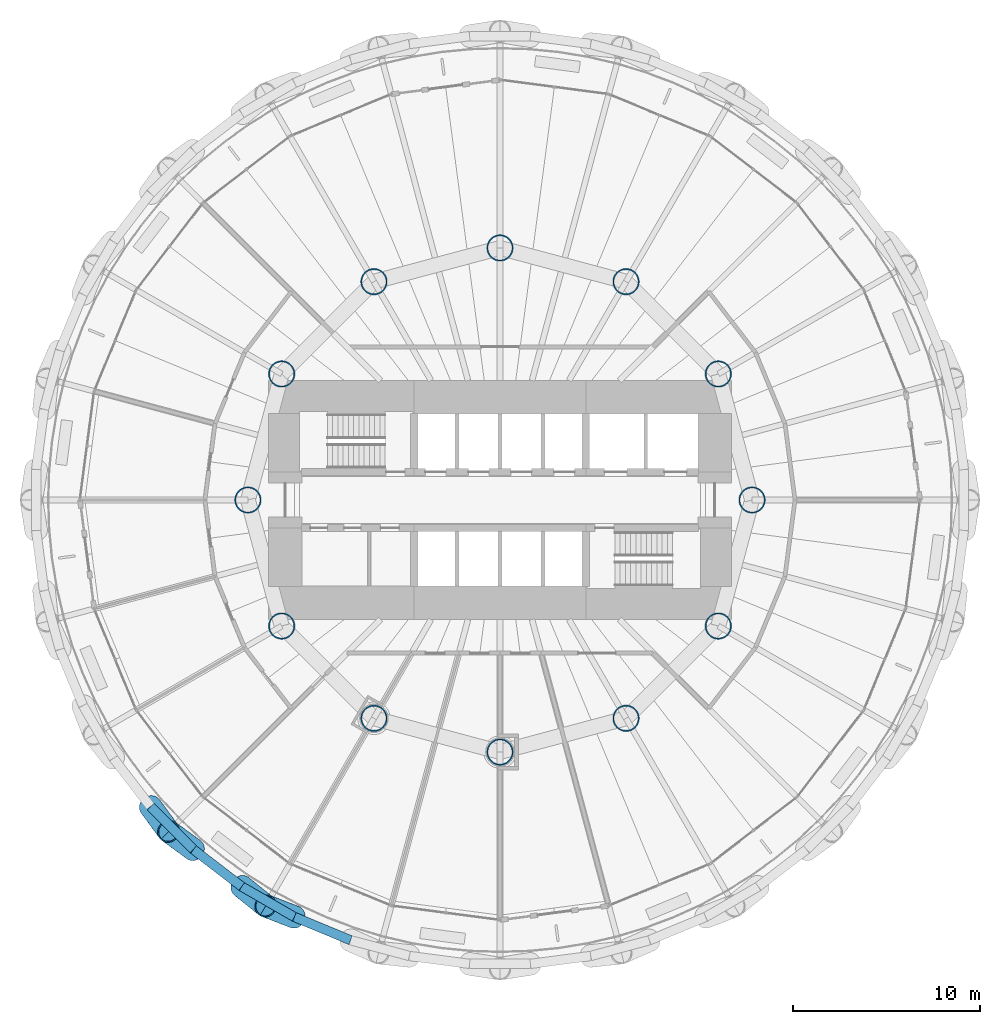
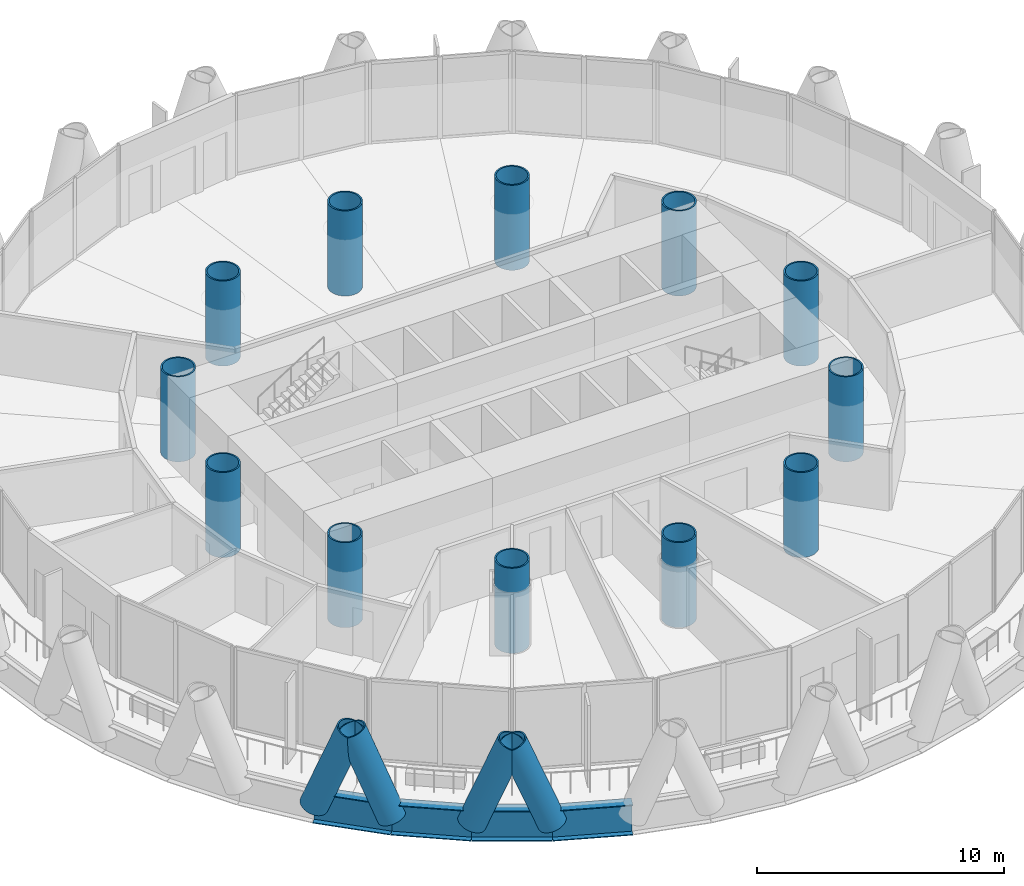
# One storey, part 1 of 16: 12 columns, 4 beams, 4 members.
"""IFC4 building model written with IfcOpenShell, lengths in metres."""

from ifc_helpers import new_model, si_unit, direction, frame, origin, origin_2d, place, context, subcontext, project, spatial, hollow_circle, i_section, extrude, material, material_profile, profile_set, type_object, element, save


model = new_model("IFC4")

# Units and contexts
model_context = context("Model", 3, precision=1e-05, world=origin(), true_north=direction((0.0, 1.0)))
body_context = subcontext(model_context, "Body", "Model", "MODEL_VIEW")
ifc_project = project(units=[si_unit("LENGTHUNIT", "METRE"), si_unit("AREAUNIT", "SQUARE_METRE"), si_unit("VOLUMEUNIT", "CUBIC_METRE"), si_unit("PLANEANGLEUNIT", "RADIAN"), si_unit("MASSUNIT", "GRAM", prefix="KILO")], contexts=[model_context])

# Site, building, storey
site_placement = place(None, origin())
site = spatial("IfcSite", under=ifc_project, at=site_placement, CompositionType="ELEMENT")
building_placement = place(site_placement, origin())
building = spatial("IfcBuilding", under=site, at=building_placement, Name="Qaws Media Tower", CompositionType="ELEMENT")
storey_placement = place(building_placement, frame((0.0, 0.0, 55.39990234375)))
storey = spatial("IfcBuildingStorey", under=building, at=storey_placement, Name="L11", CompositionType="ELEMENT", Elevation=55.39990234375)

# Columns
ifc_material_1 = material(Name="Steel S460", Category="steel")
ifc_material_profile_1 = material_profile(ifc_material_1, hollow_circle(Radius=0.7109375, WallThickness=0.070068359375, at=origin_2d()), Name="CHS 1422x70")
ifc_profile_set_1 = profile_set([ifc_material_profile_1], Name="Steel S460")
column_type = type_object("IfcColumnType", Name="Inner column CHS 1422x70", PredefinedType="COLUMN", material=ifc_profile_set_1)
for number, where, z_axis, x_axis, name in (
    (1, (73.5, 50.0, 0.0), (0.0, 0.0, 1.0), (1.0, 0.0, 0.0), "C5 inner column I01 L11"),
    (2, (71.69140625, 56.75, 0.0), (0.0, 0.0, 1.0), (1.0, 0.0, 0.0), "C5 inner column I02 L11"),
    (3, (66.75, 61.69140625, 0.0), (0.0, 0.0, 1.0), (1.0, 0.0, 0.0), "C5 inner column I03 L11"),
    (4, (60.0, 63.5, 0.0), (0.0, 0.0, 1.0), (1.0, 0.0, 0.0), "C5 inner column I04 L11"),
    (5, (53.25, 61.69140625, 0.0), (0.0, 0.0, 1.0), (1.0, 0.0, 0.0), "C5 inner column I05 L11"),
    (6, (48.30859375, 56.75, 0.0), (0.0, 0.0, 1.0), (1.0, 0.0, 0.0), "C5 inner column I06 L11"),
    (7, (46.5, 50.0, 0.0), (0.0, 0.0, 1.0), (1.0, 0.0, 0.0), "C5 inner column I07 L11"),
    (8, (48.30859375, 43.25, 0.0), (0.0, 0.0, 1.0), (1.0, 0.0, 0.0), "C5 inner column I08 L11"),
    (9, (53.25, 38.30859375, 0.0), (0.0, 0.0, 1.0), (1.0, 0.0, 0.0), "C5 inner column I09 L11"),
    (10, (60.0, 36.5, 0.0), (0.0, 0.0, 1.0), (1.0, 0.0, 0.0), "C5 inner column I10 L11"),
    (11, (66.75, 38.30859375, 0.0), (0.0, 0.0, 1.0), (1.0, 0.0, 0.0), "C5 inner column I11 L11"),
    (12, (71.69140625, 43.25, 0.0), (0.0, 0.0, 1.0), (1.0, 0.0, 0.0), "C5 inner column I12 L11"),
):
    element("IfcColumn", number, at=place(storey_placement, frame(where, z_axis=z_axis, x_axis=x_axis)), inside=storey, type_object=column_type, Name=name, PredefinedType="COLUMN", context=body_context, shape_type="SweptSolid", body=[
        extrude(hollow_circle(Radius=0.7109375, WallThickness=0.070068359375, at=origin_2d()), origin(), (0.0, 0.0, 1.0), 4.2001953125),
    ])

# Members
ifc_material_2 = material(Name="Steel S460", Category="steel")
ifc_material_profile_2 = material_profile(ifc_material_2, hollow_circle(Radius=0.609619140625, WallThickness=0.06005859375, at=origin_2d()), Name="CHS 1219x60")
ifc_profile_set_2 = profile_set([ifc_material_profile_2], Name="Steel S460")
member_type = type_object("IfcMemberType", Name="Diagrid member CHS 1219x60", PredefinedType="USERDEFINED", material=ifc_profile_set_2)
for number, where, z_axis, x_axis, name in (
    (13, (41.279296875, 33.582275390625, -0.909912109375), (0.215530429883, -0.294913593488, 0.93089881629), (0.807369407672, 0.590046302891, 0.0), "DG1 diagrid L11 A15"),
    (14, (46.166259765625, 29.29638671875, -0.909912109375), (0.28452125642, -0.229110498228, 0.930889915214), (0.627184793014, 0.778870486931, 0.0), "DG1 diagrid L11 A16"),
    (15, (43.582275390625, 31.279296875, -0.909912109375), (-0.294913593488, 0.215530429883, 0.93089881629), (-0.590046302891, -0.807369407672, 0.0), "DG1 diagrid L11 B16"),
    (16, (48.987060546875, 27.66796875, -0.909912109375), (-0.340689388047, 0.131816923329, 0.930889380967), (-0.360844493393, -0.932625997701, 0.0), "DG1 diagrid L11 B17"),
):
    element("IfcMember", number, at=place(storey_placement, frame(where, z_axis=z_axis, x_axis=x_axis)), inside=storey, type_object=member_type, Name=name, ObjectType="DIAGRID", PredefinedType="USERDEFINED", context=body_context, shape_type="SweptSolid", body=[
        extrude(hollow_circle(Radius=0.609619140625, WallThickness=0.06005859375, at=origin_2d()), origin(), (0.0, 0.0, 1.0), 4.51171875),
    ])

# Beams
ifc_material_3 = material(Name="Steel S460", Category="steel")
ifc_material_profile_3 = material_profile(ifc_material_3, i_section(OverallWidth=0.5, OverallDepth=1.5, WebThickness=0.02001953125, FlangeThickness=0.0400390625, at=origin_2d()), Name="PG 1500x500")
ifc_profile_set_3 = profile_set([ifc_material_profile_3], Name="Steel S460")
beam_type = type_object("IfcBeamType", Name="Edge ring beam PG 1500x500", PredefinedType="BEAM", material=ifc_profile_set_3)
beam_placement = place(storey_placement, frame((41.279296875, 33.582275390625, -0.909912109375), z_axis=(0.707106781187, -0.707106781187, 0.0), x_axis=(0.707106781187, 0.707106781187, 0.0)))
element("IfcBeam", 17, at=beam_placement, inside=storey, type_object=beam_type, Name="RB4 edge ring beam L11-30", PredefinedType="BEAM", context=body_context, shape_type="SweptSolid", body=[
    extrude(i_section(OverallWidth=0.5, OverallDepth=1.5, WebThickness=0.02001953125, FlangeThickness=0.0400390625, at=origin_2d()), origin(), (0.0, 0.0, 1.0), 3.2568359375),
])
for number, where, z_axis, x_axis, name in (
    (18, (43.582275390625, 31.279296875, -0.909912109375), (0.793331215298, -0.608790261777, 0.0), (0.608790261777, 0.793331215298, 0.0), "RB4 edge ring beam L11-31"),
    (19, (46.166259765625, 29.29638671875, -0.909912109375), (0.8660482855, -0.499960365612, 0.0), (0.499960365612, 0.8660482855, 0.0), "RB4 edge ring beam L11-32"),
    (20, (48.987060546875, 27.66796875, -0.909912109375), (0.923857856805, -0.382735757959, 0.0), (0.382735757959, 0.923857856805, 0.0), "RB4 edge ring beam L11-33"),
):
    element("IfcBeam", number, at=place(storey_placement, frame(where, z_axis=z_axis, x_axis=x_axis)), inside=storey, type_object=beam_type, Name=name, PredefinedType="BEAM", context=body_context, shape_type="SweptSolid", body=[
        extrude(i_section(OverallWidth=0.5, OverallDepth=1.5, WebThickness=0.02001953125, FlangeThickness=0.0400390625, at=origin_2d()), origin(), (0.0, 0.0, 1.0), 3.257080078125),
    ])

save(model, "model.ifc")
